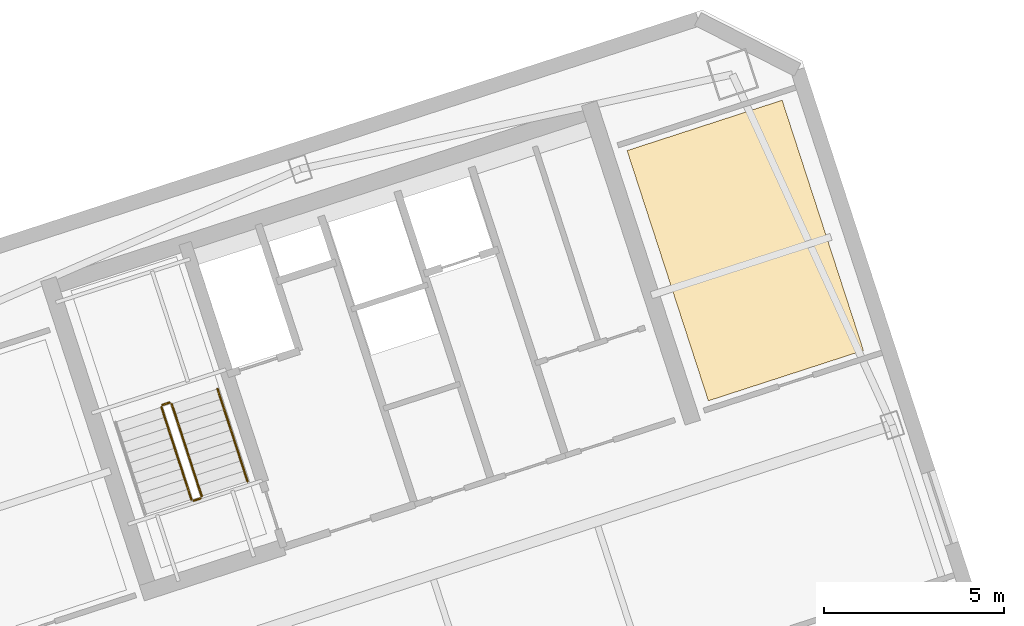
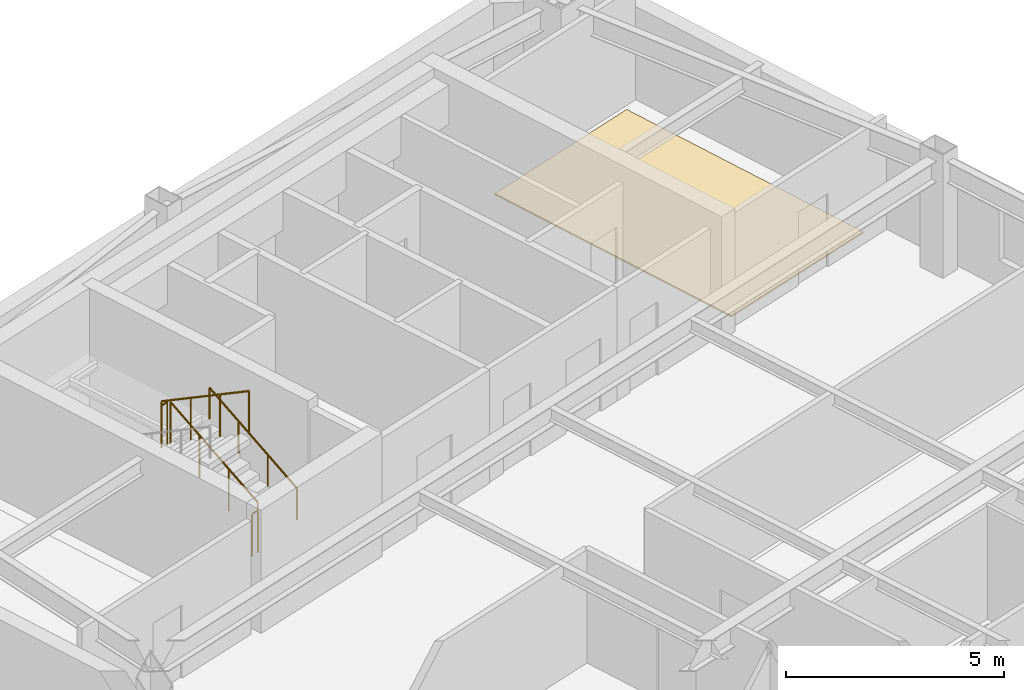
# One storey, part 18 of 18: 5 railings, 1 covering.
"""IFC4 building model written with IfcOpenShell, lengths in metres."""

from ifc_helpers import new_model, si_unit, direction, frame, origin, origin_2d, place, context, subcontext, project, spatial, polyline, circle, outline, extrude, material, layer, layer_set, type_object, element, save


model = new_model("IFC4")

# Units and contexts
model_context = context("Model", 3, precision=1e-05, world=origin(), true_north=direction((0.0, 1.0)))
body_context = subcontext(model_context, "Body", "Model", "MODEL_VIEW")
ifc_project = project(units=[si_unit("LENGTHUNIT", "METRE"), si_unit("AREAUNIT", "SQUARE_METRE"), si_unit("VOLUMEUNIT", "CUBIC_METRE"), si_unit("PLANEANGLEUNIT", "RADIAN"), si_unit("MASSUNIT", "GRAM", prefix="KILO")], contexts=[model_context])

# Site, building, storey
site_placement = place(None, origin())
site = spatial("IfcSite", under=ifc_project, at=site_placement, CompositionType="ELEMENT")
building_placement = place(site_placement, origin())
building = spatial("IfcBuilding", under=site, at=building_placement, Name="Qiaolan Cultural Towers", CompositionType="ELEMENT")
storey_placement = place(building_placement, frame((0.0, 0.0, 219.64990234375)))
storey = spatial("IfcBuildingStorey", under=building, at=storey_placement, Name="L59", CompositionType="ELEMENT", Elevation=219.64990234375)

# Covering
ifc_material_1 = material(Name="Honed Terrazzo & Raised Access Flooring", Category="concrete")
ifc_layer = layer(ifc_material_1, 0.0400390625)
ifc_layer_set = layer_set([ifc_layer], Name="Honed Terrazzo & Raised Access Flooring")
covering_type = type_object("IfcCoveringType", Name="COV-FLR-STONE", PredefinedType="FLOORING", material=ifc_layer_set)
covering_placement = place(storey_placement, origin())
element("IfcCovering", 1, at=covering_placement, inside=storey, type_object=covering_type, Name="L59 Corner Sky Park Cultural Salon Finish Flooring", PredefinedType="FLOORING", context=body_context, shape_type="SweptSolid", body=[
    extrude(outline(polyline([(99.21044921875, 48.7900390625), (96.951416015625, 55.7421875), (92.643310546875, 54.342529296875), (94.902099609375, 47.39013671875), (99.21044921875, 48.7900390625)])), origin(), (0.0, 0.0, 1.0), 0.0400390625),
])

# Railings
ifc_material_2 = material(Name="Galvanized Painted Steel Stair Guardrail", Category="steel")
railing_type_1 = type_object("IfcRailingType", Name="RL-STAIR-GRD", PredefinedType="GUARDRAIL", material=ifc_material_2)
railing_1_placement = place(storey_placement, frame((80.822021484375, 44.739501953125, 0.172607421875)))
element("IfcRailing", 2, at=railing_1_placement, inside=storey, type_object=railing_type_1, Name="L59 ST-E2 stair guard 1", PredefinedType="GUARDRAIL", context=body_context, shape_type="SweptSolid", body=[
    extrude(circle(Radius=0.02392578125, at=origin_2d()), frame((0.0, 0.0, 1.17578125), z_axis=(-0.26785290645, 0.824488402118, 0.498471358535), x_axis=(-0.951069945308, -0.308975661068, 0.0)), (0.0, 0.0, 1.0), 3.114501953125),
    extrude(circle(Radius=0.02099609375, at=origin_2d()), origin(), (0.0, 0.0, 1.0), 1.15185546875),
    extrude(circle(Radius=0.02099609375, at=origin_2d()), frame((-0.278076171875, 0.85595703125, 0.517578125)), (0.0, 0.0, 1.0), 1.15185546875),
    extrude(circle(Radius=0.02099609375, at=origin_2d()), frame((-0.55615234375, 1.7119140625, 1.034912109375)), (0.0, 0.0, 1.0), 1.15185546875),
    extrude(circle(Radius=0.02099609375, at=origin_2d()), frame((-0.834228515625, 2.56787109375, 1.552490234375)), (0.0, 0.0, 1.0), 1.15185546875),
])
railing_2_placement = place(storey_placement, frame((79.9248046875, 47.33935546875, 1.72509765625)))
element("IfcRailing", 3, at=railing_2_placement, inside=storey, type_object=railing_type_1, Name="L59 ST-E2 stair guard 2", PredefinedType="GUARDRAIL", context=body_context, shape_type="SweptSolid", body=[
    extrude(circle(Radius=0.02392578125, at=origin_2d()), frame((0.0, 0.0, 1.17578125), z_axis=(-0.951096855055, -0.308892816854, 0.0), x_axis=(0.308892816854, -0.951096855055, 0.0)), (0.0, 0.0, 1.0), 0.199951171875),
    extrude(circle(Radius=0.02099609375, at=origin_2d()), origin(), (0.0, 0.0, 1.0), 1.15185546875),
    extrude(circle(Radius=0.02099609375, at=origin_2d()), frame((-0.190185546875, -0.061767578125, 0.0)), (0.0, 0.0, 1.0), 1.15185546875),
])
railing_3_placement = place(storey_placement, frame((79.702392578125, 47.214599609375, 1.897705078125)))
element("IfcRailing", 4, at=railing_3_placement, inside=storey, type_object=railing_type_1, Name="L59 ST-E2 stair guard 3", PredefinedType="GUARDRAIL", context=body_context, shape_type="SweptSolid", body=[
    extrude(circle(Radius=0.02392578125, at=origin_2d()), frame((0.0, 0.0, 1.17578125), z_axis=(0.267925668498, -0.824471088726, 0.498460891159), x_axis=(0.951043371037, 0.309057448393, 0.0)), (0.0, 0.0, 1.0), 3.114501953125),
    extrude(circle(Radius=0.02099609375, at=origin_2d()), origin(), (0.0, 0.0, 1.0), 1.15185546875),
    extrude(circle(Radius=0.02099609375, at=origin_2d()), frame((0.278076171875, -0.85595703125, 0.517578125)), (0.0, 0.0, 1.0), 1.15185546875),
    extrude(circle(Radius=0.02099609375, at=origin_2d()), frame((0.556396484375, -1.7119140625, 1.034912109375)), (0.0, 0.0, 1.0), 1.15185546875),
    extrude(circle(Radius=0.02099609375, at=origin_2d()), frame((0.83447265625, -2.56787109375, 1.552490234375)), (0.0, 0.0, 1.0), 1.15185546875),
])
railing_4_placement = place(storey_placement, frame((80.7900390625, 44.676513671875, 0.0)))
element("IfcRailing", 5, at=railing_4_placement, inside=storey, type_object=railing_type_1, Name="L59 ST-E2 stair guard 4", PredefinedType="GUARDRAIL", context=body_context, shape_type="SweptSolid", body=[
    extrude(circle(Radius=0.02392578125, at=origin_2d()), frame((0.0, 0.0, 1.17578125), z_axis=(-0.951096855055, -0.308892816854, 0.0), x_axis=(0.308892816854, -0.951096855055, 0.0)), (0.0, 0.0, 1.0), 0.199951171875),
    extrude(circle(Radius=0.02099609375, at=origin_2d()), origin(), (0.0, 0.0, 1.0), 1.15185546875),
    extrude(circle(Radius=0.02099609375, at=origin_2d()), frame((-0.190185546875, -0.061767578125, 0.0)), (0.0, 0.0, 1.0), 1.15185546875),
])
ifc_material_3 = material(Name="Stainless Steel S30408 Tubular Handrail", Category="steel")
railing_type_2 = type_object("IfcRailingType", Name="RL-STAIR-HR", PredefinedType="HANDRAIL", material=ifc_material_3)
railing_5_placement = place(storey_placement, frame((82.096435546875, 45.153564453125, 0.172607421875)))
element("IfcRailing", 6, at=railing_5_placement, inside=storey, type_object=railing_type_2, Name="L59 ST-E2 stair handrail 1", PredefinedType="HANDRAIL", context=body_context, shape_type="SweptSolid", body=[
    extrude(circle(Radius=0.02392578125, at=origin_2d()), frame((0.0, 0.0, 0.8759765625), z_axis=(-0.26785290645, 0.824488402118, 0.498471358535), x_axis=(-0.951069945308, -0.308975661068, 0.0)), (0.0, 0.0, 1.0), 3.114501953125),
    extrude(circle(Radius=0.02099609375, at=origin_2d()), origin(), (0.0, 0.0, 1.0), 0.851806640625),
    extrude(circle(Radius=0.02099609375, at=origin_2d()), frame((-0.278076171875, 0.85595703125, 0.517578125)), (0.0, 0.0, 1.0), 0.851806640625),
    extrude(circle(Radius=0.02099609375, at=origin_2d()), frame((-0.55615234375, 1.7119140625, 1.034912109375)), (0.0, 0.0, 1.0), 0.851806640625),
    extrude(circle(Radius=0.02099609375, at=origin_2d()), frame((-0.834228515625, 2.56787109375, 1.552490234375)), (0.0, 0.0, 1.0), 0.851806640625),
])

save(model, "model.ifc")
